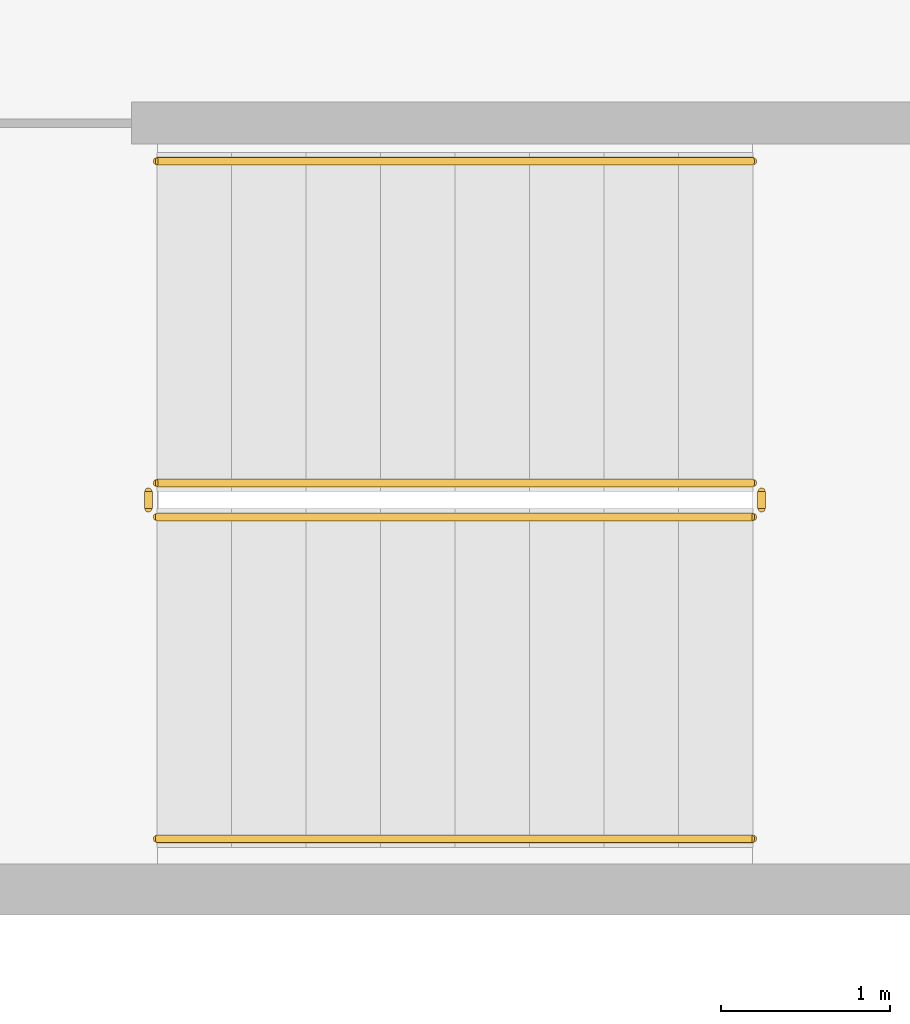
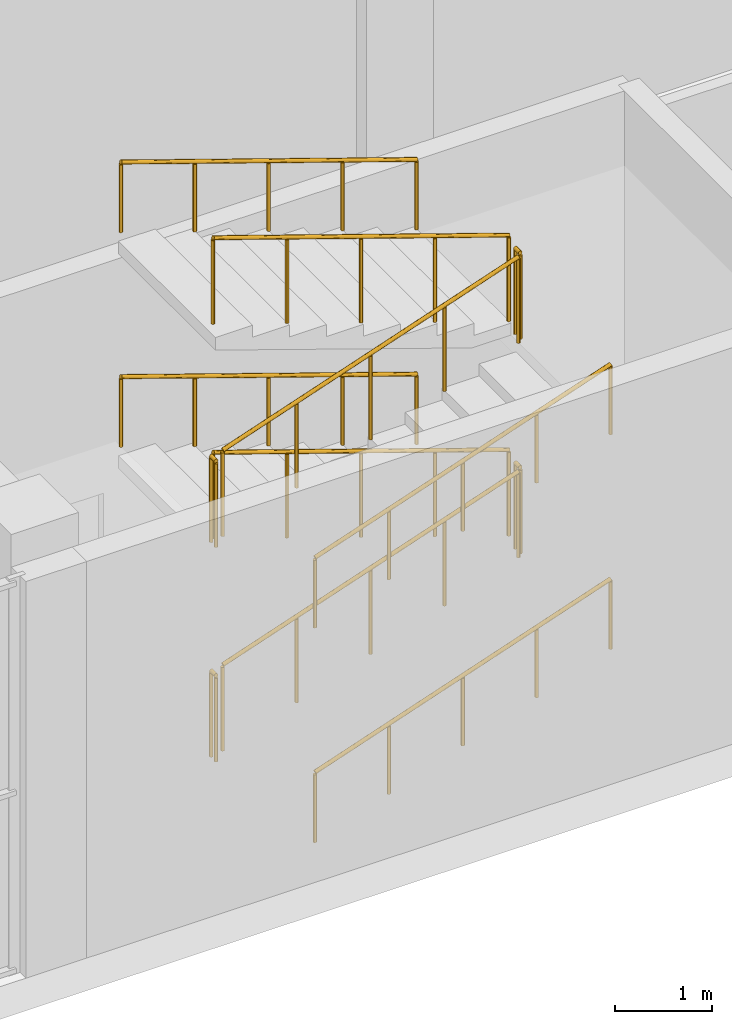
# One storey, part 28 of 35: 12 railings.
"""IFC4 building model written with IfcOpenShell, lengths in metres."""

from ifc_helpers import new_model, si_unit, direction, frame, origin, origin_2d, place, context, subcontext, project, spatial, circle, extrude, material, type_object, element, save


model = new_model("IFC4")

# Units and contexts
model_context = context("Model", 3, precision=1e-05, world=origin(), true_north=direction((0.0, 1.0)))
body_context = subcontext(model_context, "Body", "Model", "MODEL_VIEW")
ifc_project = project(units=[si_unit("LENGTHUNIT", "METRE"), si_unit("AREAUNIT", "SQUARE_METRE"), si_unit("VOLUMEUNIT", "CUBIC_METRE"), si_unit("PLANEANGLEUNIT", "RADIAN"), si_unit("MASSUNIT", "GRAM", prefix="KILO")], contexts=[model_context])

# Site, building, storey
site_placement = place(None, origin())
site = spatial("IfcSite", under=ifc_project, at=site_placement, CompositionType="ELEMENT")
building_placement = place(site_placement, origin())
building = spatial("IfcBuilding", under=site, at=building_placement, Name="Jabali Bay Hotel Tower and Convention Centre", CompositionType="ELEMENT")
storey_placement = place(building_placement, frame((0.0, 0.0, 15.0)))
storey = spatial("IfcBuildingStorey", under=building, at=storey_placement, Name="L02", CompositionType="ELEMENT", Elevation=15.0)

# Railings
ifc_material = material(Name="Stainless steel 304", Category="steel")
railing_type_1 = type_object("IfcRailingType", Name="CC Stair Guard 1100", PredefinedType="GUARDRAIL", material=ifc_material)
railing_1_placement = place(storey_placement, frame((204.0, 51.64990234375, 0.14990234375)))
element("IfcRailing", 1, at=railing_1_placement, inside=storey, type_object=railing_type_1, Name="L02 CC-STS2 stair guard 1", PredefinedType="GUARDRAIL", context=body_context, shape_type="SweptSolid", body=[
    extrude(circle(Radius=0.02392578125, at=origin_2d()), frame((0.0, 0.0, 1.076171875), z_axis=(0.946494694335, 0.0, 0.322719372822), x_axis=(0.0, 1.0, 0.0)), (0.0, 0.0, 1.0), 3.718994140625),
    extrude(circle(Radius=0.02099609375, at=origin_2d()), origin(), (0.0, 0.0, 1.0), 1.052001953125),
    extrude(circle(Radius=0.02099609375, at=origin_2d()), frame((0.8798828125, 0.0, 0.300048828125)), (0.0, 0.0, 1.0), 1.052001953125),
    extrude(circle(Radius=0.02099609375, at=origin_2d()), frame((1.760009765625, 0.0, 0.60009765625)), (0.0, 0.0, 1.0), 1.052001953125),
    extrude(circle(Radius=0.02099609375, at=origin_2d()), frame((2.64013671875, 0.0, 0.900146484375)), (0.0, 0.0, 1.0), 1.052001953125),
    extrude(circle(Radius=0.02099609375, at=origin_2d()), frame((3.52001953125, 0.0, 1.2001953125)), (0.0, 0.0, 1.0), 1.052001953125),
])
railing_2_placement = place(storey_placement, frame((207.570068359375, 51.699951171875, 1.35009765625)))
element("IfcRailing", 2, at=railing_2_placement, inside=storey, type_object=railing_type_1, Name="L02 CC-STS2 stair guard 2", PredefinedType="GUARDRAIL", context=body_context, shape_type="SweptSolid", body=[
    extrude(circle(Radius=0.02392578125, at=origin_2d()), frame((0.0, 0.0, 1.076171875), z_axis=(0.0, 1.0, 0.0), x_axis=(-1.0, 0.0, 0.0)), (0.0, 0.0, 1.0), 0.10009765625),
    extrude(circle(Radius=0.02099609375, at=origin_2d()), origin(), (0.0, 0.0, 1.0), 1.052001953125),
    extrude(circle(Radius=0.02099609375, at=origin_2d()), frame((0.0, 0.10009765625, 0.0)), (0.0, 0.0, 1.0), 1.052001953125),
])
railing_3_placement = place(storey_placement, frame((207.52001953125, 51.85009765625, 1.5)))
element("IfcRailing", 3, at=railing_3_placement, inside=storey, type_object=railing_type_1, Name="L02 CC-STS2 stair guard 3", PredefinedType="GUARDRAIL", context=body_context, shape_type="SweptSolid", body=[
    extrude(circle(Radius=0.02392578125, at=origin_2d()), frame((0.0, 0.0, 1.076171875), z_axis=(-0.946514744872, 0.0, 0.322660561177), x_axis=(0.0, -1.0, 0.0)), (0.0, 0.0, 1.0), 3.718994140625),
    extrude(circle(Radius=0.02099609375, at=origin_2d()), origin(), (0.0, 0.0, 1.0), 1.052001953125),
    extrude(circle(Radius=0.02099609375, at=origin_2d()), frame((-0.8798828125, 0.0, 0.300048828125)), (0.0, 0.0, 1.0), 1.052001953125),
    extrude(circle(Radius=0.02099609375, at=origin_2d()), frame((-1.760009765625, 0.0, 0.60009765625)), (0.0, 0.0, 1.0), 1.052001953125),
    extrude(circle(Radius=0.02099609375, at=origin_2d()), frame((-2.64013671875, 0.0, 0.89990234375)), (0.0, 0.0, 1.0), 1.052001953125),
    extrude(circle(Radius=0.02099609375, at=origin_2d()), frame((-3.52001953125, 0.0, 1.199951171875)), (0.0, 0.0, 1.0), 1.052001953125),
])
railing_4_placement = place(storey_placement, frame((203.949951171875, 51.699951171875, 2.699951171875)))
element("IfcRailing", 4, at=railing_4_placement, inside=storey, type_object=railing_type_1, Name="L02 CC-STS2 stair guard 4", PredefinedType="GUARDRAIL", context=body_context, shape_type="SweptSolid", body=[
    extrude(circle(Radius=0.02392578125, at=origin_2d()), frame((0.0, 0.0, 1.076171875), z_axis=(0.0, 1.0, 0.0), x_axis=(-1.0, 0.0, 0.0)), (0.0, 0.0, 1.0), 0.10009765625),
    extrude(circle(Radius=0.02099609375, at=origin_2d()), origin(), (0.0, 0.0, 1.0), 1.052001953125),
    extrude(circle(Radius=0.02099609375, at=origin_2d()), frame((0.0, 0.10009765625, 0.0)), (0.0, 0.0, 1.0), 1.052001953125),
])
railing_5_placement = place(storey_placement, frame((204.0, 51.64990234375, 2.85009765625)))
element("IfcRailing", 5, at=railing_5_placement, inside=storey, type_object=railing_type_1, Name="L02 CC-STS2 stair guard 5", PredefinedType="GUARDRAIL", context=body_context, shape_type="SweptSolid", body=[
    extrude(circle(Radius=0.02392578125, at=origin_2d()), frame((0.0, 0.0, 1.076171875), z_axis=(0.946514744872, 0.0, 0.322660561177), x_axis=(0.0, 1.0, 0.0)), (0.0, 0.0, 1.0), 3.718994140625),
    extrude(circle(Radius=0.02099609375, at=origin_2d()), origin(), (0.0, 0.0, 1.0), 1.052001953125),
    extrude(circle(Radius=0.02099609375, at=origin_2d()), frame((0.8798828125, 0.0, 0.300048828125)), (0.0, 0.0, 1.0), 1.052001953125),
    extrude(circle(Radius=0.02099609375, at=origin_2d()), frame((1.760009765625, 0.0, 0.60009765625)), (0.0, 0.0, 1.0), 1.052001953125),
    extrude(circle(Radius=0.02099609375, at=origin_2d()), frame((2.64013671875, 0.0, 0.89990234375)), (0.0, 0.0, 1.0), 1.052001953125),
    extrude(circle(Radius=0.02099609375, at=origin_2d()), frame((3.52001953125, 0.0, 1.199951171875)), (0.0, 0.0, 1.0), 1.052001953125),
])
railing_6_placement = place(storey_placement, frame((207.570068359375, 51.699951171875, 4.050048828125)))
element("IfcRailing", 6, at=railing_6_placement, inside=storey, type_object=railing_type_1, Name="L02 CC-STS2 stair guard 6", PredefinedType="GUARDRAIL", context=body_context, shape_type="SweptSolid", body=[
    extrude(circle(Radius=0.02392578125, at=origin_2d()), frame((0.0, 0.0, 1.076171875), z_axis=(0.0, 1.0, 0.0), x_axis=(-1.0, 0.0, 0.0)), (0.0, 0.0, 1.0), 0.10009765625),
    extrude(circle(Radius=0.02099609375, at=origin_2d()), origin(), (0.0, 0.0, 1.0), 1.052001953125),
    extrude(circle(Radius=0.02099609375, at=origin_2d()), frame((0.0, 0.10009765625, 0.0)), (0.0, 0.0, 1.0), 1.052001953125),
])
railing_7_placement = place(storey_placement, frame((207.52001953125, 51.85009765625, 4.199951171875)))
element("IfcRailing", 7, at=railing_7_placement, inside=storey, type_object=railing_type_1, Name="L02 CC-STS2 stair guard 7", PredefinedType="GUARDRAIL", context=body_context, shape_type="SweptSolid", body=[
    extrude(circle(Radius=0.02392578125, at=origin_2d()), frame((0.0, 0.0, 1.076171875), z_axis=(-0.946514744872, 0.0, 0.322660561177), x_axis=(0.0, -1.0, 0.0)), (0.0, 0.0, 1.0), 3.718994140625),
    extrude(circle(Radius=0.02099609375, at=origin_2d()), origin(), (0.0, 0.0, 1.0), 1.052001953125),
    extrude(circle(Radius=0.02099609375, at=origin_2d()), frame((-0.8798828125, 0.0, 0.300048828125)), (0.0, 0.0, 1.0), 1.052001953125),
    extrude(circle(Radius=0.02099609375, at=origin_2d()), frame((-1.760009765625, 0.0, 0.60009765625)), (0.0, 0.0, 1.0), 1.052001953125),
    extrude(circle(Radius=0.02099609375, at=origin_2d()), frame((-2.64013671875, 0.0, 0.89990234375)), (0.0, 0.0, 1.0), 1.052001953125),
    extrude(circle(Radius=0.02099609375, at=origin_2d()), frame((-3.52001953125, 0.0, 1.199951171875)), (0.0, 0.0, 1.0), 1.052001953125),
])
railing_8_placement = place(storey_placement, frame((203.949951171875, 51.699951171875, 0.0)))
element("IfcRailing", 8, at=railing_8_placement, inside=storey, type_object=railing_type_1, Name="L02 CC-STS2 stair guard 8", PredefinedType="GUARDRAIL", context=body_context, shape_type="SweptSolid", body=[
    extrude(circle(Radius=0.02392578125, at=origin_2d()), frame((0.0, 0.0, 1.076171875), z_axis=(0.0, 1.0, 0.0), x_axis=(-1.0, 0.0, 0.0)), (0.0, 0.0, 1.0), 0.10009765625),
    extrude(circle(Radius=0.02099609375, at=origin_2d()), origin(), (0.0, 0.0, 1.0), 1.052001953125),
    extrude(circle(Radius=0.02099609375, at=origin_2d()), frame((0.0, 0.10009765625, 0.0)), (0.0, 0.0, 1.0), 1.052001953125),
])
railing_type_2 = type_object("IfcRailingType", Name="CC Stair Handrail 900", PredefinedType="HANDRAIL", material=ifc_material)
railing_9_placement = place(storey_placement, frame((204.0, 49.75, 0.14990234375)))
element("IfcRailing", 9, at=railing_9_placement, inside=storey, type_object=railing_type_2, Name="L02 CC-STS2 stair handrail 1", PredefinedType="HANDRAIL", context=body_context, shape_type="SweptSolid", body=[
    extrude(circle(Radius=0.02392578125, at=origin_2d()), frame((0.0, 0.0, 0.8759765625), z_axis=(0.946494694335, 0.0, 0.322719372822), x_axis=(0.0, 1.0, 0.0)), (0.0, 0.0, 1.0), 3.718994140625),
    extrude(circle(Radius=0.02099609375, at=origin_2d()), origin(), (0.0, 0.0, 1.0), 0.851806640625),
    extrude(circle(Radius=0.02099609375, at=origin_2d()), frame((0.8798828125, 0.0, 0.300048828125)), (0.0, 0.0, 1.0), 0.851806640625),
    extrude(circle(Radius=0.02099609375, at=origin_2d()), frame((1.760009765625, 0.0, 0.60009765625)), (0.0, 0.0, 1.0), 0.851806640625),
    extrude(circle(Radius=0.02099609375, at=origin_2d()), frame((2.64013671875, 0.0, 0.900146484375)), (0.0, 0.0, 1.0), 0.851806640625),
    extrude(circle(Radius=0.02099609375, at=origin_2d()), frame((3.52001953125, 0.0, 1.2001953125)), (0.0, 0.0, 1.0), 0.851806640625),
])
railing_10_placement = place(storey_placement, frame((207.52001953125, 53.75, 1.5)))
element("IfcRailing", 10, at=railing_10_placement, inside=storey, type_object=railing_type_2, Name="L02 CC-STS2 stair handrail 2", PredefinedType="HANDRAIL", context=body_context, shape_type="SweptSolid", body=[
    extrude(circle(Radius=0.02392578125, at=origin_2d()), frame((0.0, 0.0, 0.8759765625), z_axis=(-0.946514744872, 0.0, 0.322660561177), x_axis=(0.0, -1.0, 0.0)), (0.0, 0.0, 1.0), 3.718994140625),
    extrude(circle(Radius=0.02099609375, at=origin_2d()), origin(), (0.0, 0.0, 1.0), 0.851806640625),
    extrude(circle(Radius=0.02099609375, at=origin_2d()), frame((-0.8798828125, 0.0, 0.300048828125)), (0.0, 0.0, 1.0), 0.851806640625),
    extrude(circle(Radius=0.02099609375, at=origin_2d()), frame((-1.760009765625, 0.0, 0.60009765625)), (0.0, 0.0, 1.0), 0.851806640625),
    extrude(circle(Radius=0.02099609375, at=origin_2d()), frame((-2.64013671875, 0.0, 0.89990234375)), (0.0, 0.0, 1.0), 0.851806640625),
    extrude(circle(Radius=0.02099609375, at=origin_2d()), frame((-3.52001953125, 0.0, 1.199951171875)), (0.0, 0.0, 1.0), 0.851806640625),
])
railing_11_placement = place(storey_placement, frame((204.0, 49.75, 2.85009765625)))
element("IfcRailing", 11, at=railing_11_placement, inside=storey, type_object=railing_type_2, Name="L02 CC-STS2 stair handrail 3", PredefinedType="HANDRAIL", context=body_context, shape_type="SweptSolid", body=[
    extrude(circle(Radius=0.02392578125, at=origin_2d()), frame((0.0, 0.0, 0.8759765625), z_axis=(0.946514744872, 0.0, 0.322660561177), x_axis=(0.0, 1.0, 0.0)), (0.0, 0.0, 1.0), 3.718994140625),
    extrude(circle(Radius=0.02099609375, at=origin_2d()), origin(), (0.0, 0.0, 1.0), 0.851806640625),
    extrude(circle(Radius=0.02099609375, at=origin_2d()), frame((0.8798828125, 0.0, 0.300048828125)), (0.0, 0.0, 1.0), 0.851806640625),
    extrude(circle(Radius=0.02099609375, at=origin_2d()), frame((1.760009765625, 0.0, 0.60009765625)), (0.0, 0.0, 1.0), 0.851806640625),
    extrude(circle(Radius=0.02099609375, at=origin_2d()), frame((2.64013671875, 0.0, 0.89990234375)), (0.0, 0.0, 1.0), 0.851806640625),
    extrude(circle(Radius=0.02099609375, at=origin_2d()), frame((3.52001953125, 0.0, 1.199951171875)), (0.0, 0.0, 1.0), 0.851806640625),
])
railing_12_placement = place(storey_placement, frame((207.52001953125, 53.75, 4.199951171875)))
element("IfcRailing", 12, at=railing_12_placement, inside=storey, type_object=railing_type_2, Name="L02 CC-STS2 stair handrail 4", PredefinedType="HANDRAIL", context=body_context, shape_type="SweptSolid", body=[
    extrude(circle(Radius=0.02392578125, at=origin_2d()), frame((0.0, 0.0, 0.8759765625), z_axis=(-0.946514744872, 0.0, 0.322660561177), x_axis=(0.0, -1.0, 0.0)), (0.0, 0.0, 1.0), 3.718994140625),
    extrude(circle(Radius=0.02099609375, at=origin_2d()), origin(), (0.0, 0.0, 1.0), 0.851806640625),
    extrude(circle(Radius=0.02099609375, at=origin_2d()), frame((-0.8798828125, 0.0, 0.300048828125)), (0.0, 0.0, 1.0), 0.851806640625),
    extrude(circle(Radius=0.02099609375, at=origin_2d()), frame((-1.760009765625, 0.0, 0.60009765625)), (0.0, 0.0, 1.0), 0.851806640625),
    extrude(circle(Radius=0.02099609375, at=origin_2d()), frame((-2.64013671875, 0.0, 0.89990234375)), (0.0, 0.0, 1.0), 0.851806640625),
    extrude(circle(Radius=0.02099609375, at=origin_2d()), frame((-3.52001953125, 0.0, 1.199951171875)), (0.0, 0.0, 1.0), 0.851806640625),
])

save(model, "model.ifc")
